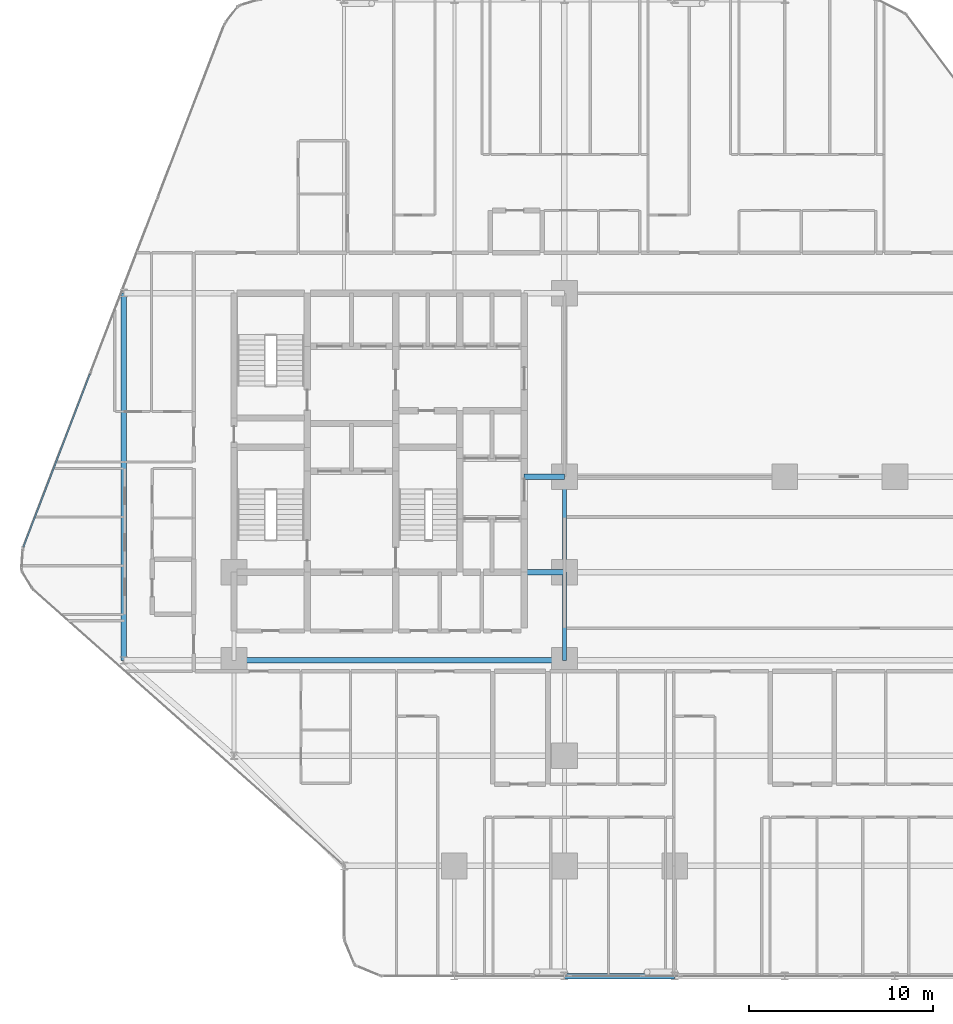
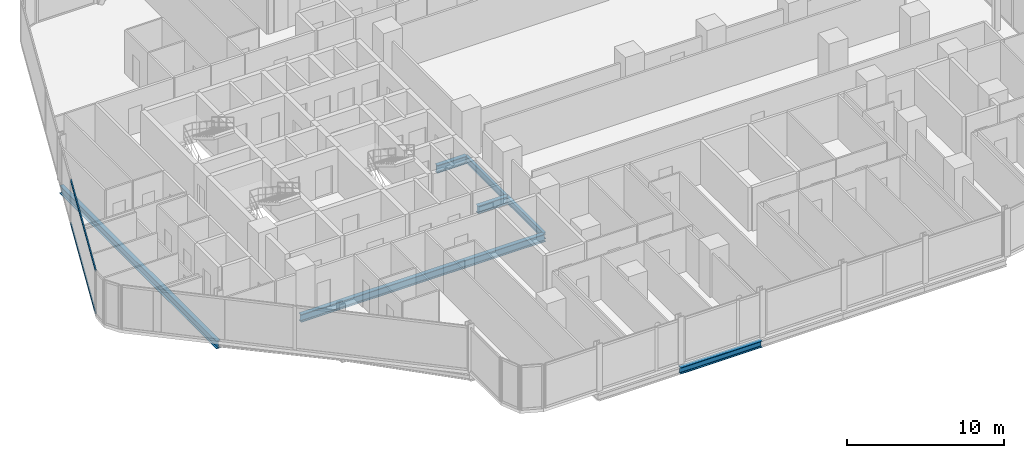
# One storey, part 6 of 33: 7 beams, 2 members, 1 element without a shape of its own.
"""IFC4 building model written with IfcOpenShell, lengths in metres."""

from ifc_helpers import new_model, si_unit, direction, frame, origin, origin_2d, place, context, subcontext, project, spatial, hollow_rectangle, i_section, extrude, material, layer, layer_set, material_profile, profile_set, type_object, element, aggregate, save


model = new_model("IFC4")

# Units and contexts
model_context = context("Model", 3, precision=1e-05, world=origin(), true_north=direction((0.0, 1.0)))
body_context = subcontext(model_context, "Body", "Model", "MODEL_VIEW")
ifc_project = project(units=[si_unit("LENGTHUNIT", "METRE"), si_unit("AREAUNIT", "SQUARE_METRE"), si_unit("VOLUMEUNIT", "CUBIC_METRE"), si_unit("PLANEANGLEUNIT", "RADIAN"), si_unit("MASSUNIT", "GRAM", prefix="KILO")], contexts=[model_context])

# Site, building, storey
site_placement = place(None, origin())
site = spatial("IfcSite", under=ifc_project, at=site_placement, CompositionType="ELEMENT")
building_placement = place(site_placement, origin())
building = spatial("IfcBuilding", under=site, at=building_placement, Name="Keshet Zoharim Tower", CompositionType="ELEMENT")
storey_placement = place(building_placement, frame((0.0, 0.0, 27.699951171875)))
storey = spatial("IfcBuildingStorey", under=building, at=storey_placement, Name="L05", CompositionType="ELEMENT", Elevation=27.699951171875)

# Beams
ifc_material_1 = material(Name="Steel S355", Category="steel")
ifc_material_profile_1 = material_profile(ifc_material_1, i_section(OverallWidth=0.300048828125, OverallDepth=0.60009765625, WebThickness=0.015380859375, FlangeThickness=0.030029296875, FilletRadius=0.027099609375, at=origin_2d()), Name="HEB600")
ifc_profile_set_1 = profile_set([ifc_material_profile_1], Name="Steel S355")
beam_type_1 = type_object("IfcBeamType", Name="BM-CLK-HB600", PredefinedType="BEAM", material=ifc_profile_set_1)
for number, where, z_axis, x_axis, name in (
    (1, (30.800048828125, 22.699951171875, -0.614990234375), (1.0, 0.0, 0.0), (0.0, 1.0, 0.0), "L05 Core Wall Link Girder 01"),
    (2, (30.800048828125, 27.89990234375, -0.614990234375), (1.0, 0.0, 0.0), (0.0, 1.0, 0.0), "L05 Core Wall Link Girder 02"),
):
    element("IfcBeam", number, at=place(storey_placement, frame(where, z_axis=z_axis, x_axis=x_axis)), inside=storey, type_object=beam_type_1, Name=name, PredefinedType="BEAM", context=body_context, shape_type="SweptSolid", body=[
        extrude(i_section(OverallWidth=0.300048828125, OverallDepth=0.60009765625, WebThickness=0.015380859375, FlangeThickness=0.030029296875, FilletRadius=0.027099609375, at=origin_2d()), origin(), (0.0, 0.0, 1.0), 2.199951171875),
    ])
ifc_material_profile_2 = material_profile(ifc_material_1, i_section(OverallWidth=0.300048828125, OverallDepth=0.60009765625, WebThickness=0.015380859375, FlangeThickness=0.030029296875, FilletRadius=0.027099609375, at=origin_2d()), Name="HEB600")
ifc_profile_set_2 = profile_set([ifc_material_profile_2], Name="Steel S355")
beam_type_2 = type_object("IfcBeamType", Name="BM-LNG-HB600", PredefinedType="BEAM", material=ifc_profile_set_2)
beam_1_placement = place(storey_placement, frame((15.0, 17.89990234375, -0.614990234375), z_axis=(1.0, 0.0, 0.0), x_axis=(0.0, 1.0, 0.0)))
element("IfcBeam", 3, at=beam_1_placement, inside=storey, type_object=beam_type_2, Name="L05 Primary Girder X-016", PredefinedType="BEAM", context=body_context, shape_type="SweptSolid", body=[
    extrude(i_section(OverallWidth=0.300048828125, OverallDepth=0.60009765625, WebThickness=0.015380859375, FlangeThickness=0.030029296875, FilletRadius=0.027099609375, at=origin_2d()), origin(), (0.0, 0.0, 1.0), 18.0),
])
beam_2_placement = place(storey_placement, frame((9.0, 17.89990234375, -0.614990234375), z_axis=(0.0, 1.0, 0.0), x_axis=(-1.0, 0.0, 0.0)))
element("IfcBeam", 4, at=beam_2_placement, inside=storey, type_object=beam_type_2, Name="L05 Primary Girder Y-001", PredefinedType="BEAM", context=body_context, shape_type="SweptSolid", body=[
    extrude(i_section(OverallWidth=0.300048828125, OverallDepth=0.60009765625, WebThickness=0.015380859375, FlangeThickness=0.030029296875, FilletRadius=0.027099609375, at=origin_2d()), origin(), (0.0, 0.0, 1.0), 20.0),
])
ifc_material_profile_3 = material_profile(ifc_material_1, i_section(OverallWidth=0.199951171875, OverallDepth=0.5, WebThickness=0.01025390625, FlangeThickness=0.01611328125, FilletRadius=0.02099609375, at=origin_2d()), Name="IPE500")
ifc_profile_set_3 = profile_set([ifc_material_profile_3], Name="Steel S355")
beam_type_3 = type_object("IfcBeamType", Name="BM-PRI-IP500", PredefinedType="BEAM", material=ifc_profile_set_3)
beam_3_placement = place(storey_placement, frame((33.0, 17.89990234375, -0.56494140625), z_axis=(0.0, 1.0, 0.0), x_axis=(-1.0, 0.0, 0.0)))
element("IfcBeam", 5, at=beam_3_placement, inside=storey, type_object=beam_type_3, Name="L05 Primary Girder Y-008", PredefinedType="BEAM", context=body_context, shape_type="SweptSolid", body=[
    extrude(i_section(OverallWidth=0.199951171875, OverallDepth=0.5, WebThickness=0.01025390625, FlangeThickness=0.01611328125, FilletRadius=0.02099609375, at=origin_2d()), origin(), (0.0, 0.0, 1.0), 4.800048828125),
])
beam_4_placement = place(storey_placement, frame((33.0, 22.699951171875, -0.56494140625), z_axis=(0.0, 1.0, 0.0), x_axis=(-1.0, 0.0, 0.0)))
element("IfcBeam", 6, at=beam_4_placement, inside=storey, type_object=beam_type_3, Name="L05 Primary Girder Y-009", PredefinedType="BEAM", context=body_context, shape_type="SweptSolid", body=[
    extrude(i_section(OverallWidth=0.199951171875, OverallDepth=0.5, WebThickness=0.01025390625, FlangeThickness=0.01611328125, FilletRadius=0.02099609375, at=origin_2d()), origin(), (0.0, 0.0, 1.0), 5.199951171875),
])
ifc_material_profile_4 = material_profile(ifc_material_1, i_section(OverallWidth=0.300048828125, OverallDepth=0.5, WebThickness=0.014404296875, FlangeThickness=0.028076171875, FilletRadius=0.027099609375, at=origin_2d()), Name="HEB500")
ifc_profile_set_4 = profile_set([ifc_material_profile_4], Name="Steel S355")
beam_type_4 = type_object("IfcBeamType", Name="BM-WEB-HB500", PredefinedType="BEAM", material=ifc_profile_set_4)
beam_5_placement = place(storey_placement, frame((33.0, 0.699951171875, -0.56494140625), z_axis=(1.0, 0.0, 0.0), x_axis=(0.0, 1.0, 0.0)))
element("IfcBeam", 7, at=beam_5_placement, inside=storey, type_object=beam_type_4, Name="L05 Primary Girder X-002", PredefinedType="BEAM", context=body_context, shape_type="SweptSolid", body=[
    extrude(i_section(OverallWidth=0.300048828125, OverallDepth=0.5, WebThickness=0.014404296875, FlangeThickness=0.028076171875, FilletRadius=0.027099609375, at=origin_2d()), origin(), (0.0, 0.0, 1.0), 6.0),
])

# Curtain wall, members
ifc_material_2 = material(Name="Aluminium 6063-T6", Category="aluminium")
ifc_layer = layer(ifc_material_2, 0.179931640625)
ifc_layer_set = layer_set([ifc_layer], Name="Aluminium 6063-T6")
curtain_wall_type = type_object("IfcCurtainWallType", Name="CW-SYS-01", PredefinedType="NOTDEFINED", material=ifc_layer_set)
curtain_wall_placement = place(storey_placement, origin())
curtain_wall = element("IfcCurtainWall", 8, at=curtain_wall_placement, inside=storey, type_object=curtain_wall_type, Name="L05 Unitised Curtain Wall 04", PredefinedType="NOTDEFINED")
ifc_material_profile_5 = material_profile(ifc_material_2, hollow_rectangle(XDim=0.0849609375, YDim=0.159912109375, WallThickness=0.00439453125, at=origin_2d()), Name="TRN-85x160")
ifc_profile_set_5 = profile_set([ifc_material_profile_5], Name="Aluminium 6063-T6")
member_type = type_object("IfcMemberType", Name="CWT-T16", PredefinedType="USERDEFINED", material=ifc_profile_set_5)
member_1_placement = place(storey_placement, frame((3.522216796875, 24.058349609375, 0.03515625), z_axis=(0.358993631387, 0.93334000912, 0.0), x_axis=(-0.93334000912, 0.358993631387, 0.0)))
member_1 = element("IfcMember", 9, at=member_1_placement, type_object=member_type, Name="CW-01 transom 1.1", ObjectType="TRANSOM", PredefinedType="USERDEFINED", context=body_context, shape_type="SweptSolid", body=[
    extrude(hollow_rectangle(XDim=0.0849609375, YDim=0.159912109375, WallThickness=0.00439453125, at=origin_2d()), origin(), (0.0, 0.0, 1.0), 10.1181640625),
])
member_2_placement = place(storey_placement, frame((3.522216796875, 24.058349609375, 3.35009765625), z_axis=(0.358993631387, 0.93334000912, 0.0), x_axis=(-0.93334000912, 0.358993631387, 0.0)))
member_2 = element("IfcMember", 10, at=member_2_placement, type_object=member_type, Name="CW-01 transom 1.2", ObjectType="TRANSOM", PredefinedType="USERDEFINED", context=body_context, shape_type="SweptSolid", body=[
    extrude(hollow_rectangle(XDim=0.0849609375, YDim=0.159912109375, WallThickness=0.00439453125, at=origin_2d()), origin(), (0.0, 0.0, 1.0), 10.1181640625),
])
aggregate(curtain_wall, [member_1, member_2])

save(model, "model.ifc")
